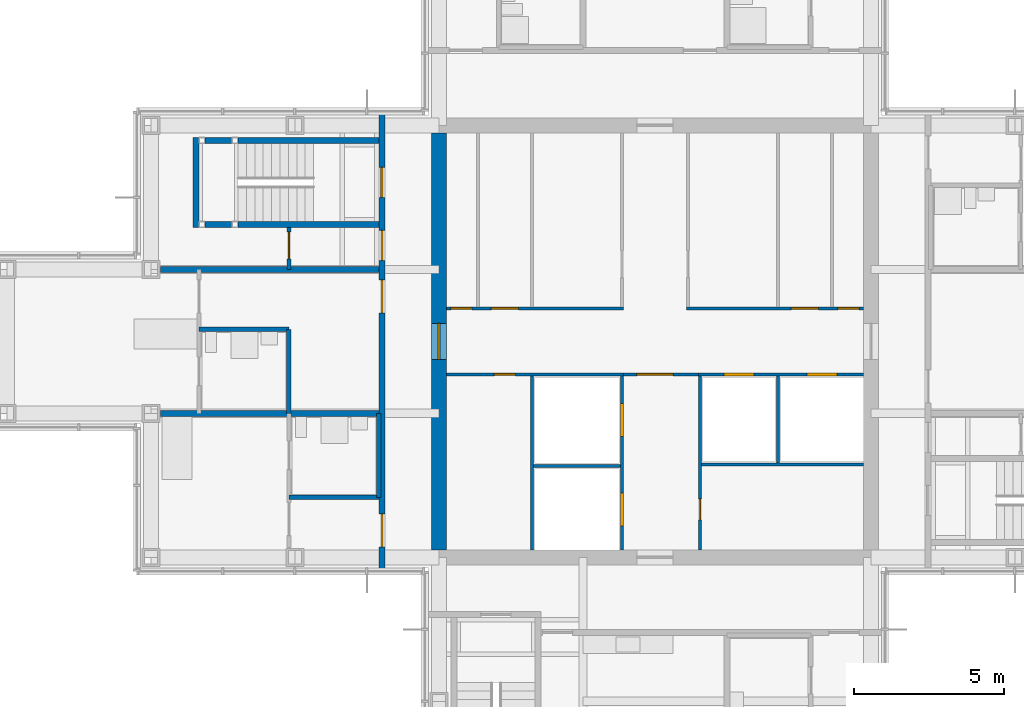
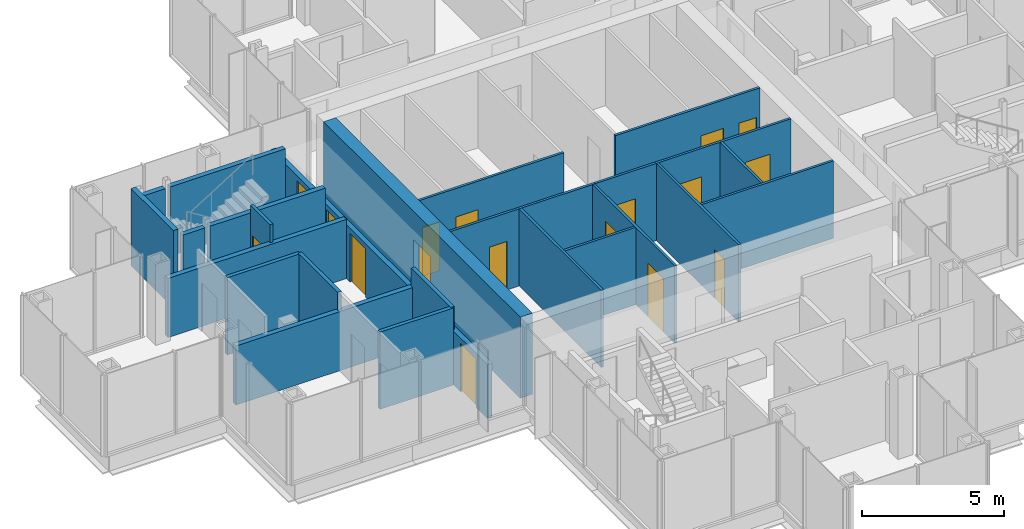
# One storey, part 12 of 17: 25 walls, 17 doors, 17 openings.
"""IFC4 building model written with IfcOpenShell, lengths in metres."""

from ifc_helpers import new_model, si_unit, direction, frame, frame_2d, origin, place, context, subcontext, project, spatial, rectangle, extrude, material, layer, layer_set, type_object, element, fill, save


model = new_model("IFC4")

# Units and contexts
model_context = context("Model", 3, precision=1e-05, world=origin(), true_north=direction((0.0, 1.0)))
body_context = subcontext(model_context, "Body", "Model", "MODEL_VIEW")
ifc_project = project(units=[si_unit("LENGTHUNIT", "METRE"), si_unit("AREAUNIT", "SQUARE_METRE"), si_unit("VOLUMEUNIT", "CUBIC_METRE"), si_unit("PLANEANGLEUNIT", "RADIAN"), si_unit("MASSUNIT", "GRAM", prefix="KILO")], contexts=[model_context])

# Site, building, storey
site_placement = place(None, origin())
site = spatial("IfcSite", under=ifc_project, at=site_placement, CompositionType="ELEMENT")
building_placement = place(site_placement, origin())
building = spatial("IfcBuilding", under=site, at=building_placement, Name="Kvirike Care Tower", CompositionType="ELEMENT")
storey_placement = place(building_placement, frame((0.0, 0.0, 148.0)))
storey = spatial("IfcBuildingStorey", under=building, at=storey_placement, Name="L40", CompositionType="ELEMENT", Elevation=148.0)

# Walls
ifc_material_1 = material(Name="Moisture-resistant board partition", Category="gypsum")
ifc_layer_1 = layer(ifc_material_1, 0.14990234375)
ifc_layer_set_1 = layer_set([ifc_layer_1], Name="BATHROOM WALL 150")
wall_type_1 = type_object("IfcWallType", Name="BATHROOM WALL 150", PredefinedType="PARTITIONING", material=ifc_layer_set_1)
wall_1_placement = place(storey_placement, frame((6.39990234375, 36.39990234375, 0.0), z_axis=(0.0, 0.0, 1.0), x_axis=(1.0, 0.0, 0.0)))
element("IfcWall", 1, at=wall_1_placement, inside=storey, type_object=wall_type_1, Name="Bathroom Wall 150 L40", PredefinedType="PARTITIONING", context=body_context, shape_type="SweptSolid", body=[
    extrude(rectangle(XDim=3.0, YDim=0.14990234375, at=frame_2d((1.5, 0.0))), origin(), (0.0, 0.0, 1.0), 3.330078125),
])
wall_2_placement = place(storey_placement, frame((9.39990234375, 36.39990234375, 0.0), z_axis=(0.0, 0.0, 1.0), x_axis=(0.0, -1.0, 0.0)))
element("IfcWall", 2, at=wall_2_placement, inside=storey, type_object=wall_type_1, Name="Bathroom Wall 150 L40", PredefinedType="PARTITIONING", context=body_context, shape_type="SweptSolid", body=[
    extrude(rectangle(XDim=2.7998046875, YDim=0.14990234375, at=frame_2d((1.39990234375, 0.0))), origin(), (0.0, 0.0, 1.0), 3.330078125),
])
wall_3_placement = place(storey_placement, frame((9.39990234375, 30.800048828125, 0.0), z_axis=(0.0, 0.0, 1.0), x_axis=(1.0, 0.0, 0.0)))
element("IfcWall", 3, at=wall_3_placement, inside=storey, type_object=wall_type_1, Name="Bathroom Wall 150 L40", PredefinedType="PARTITIONING", context=body_context, shape_type="SweptSolid", body=[
    extrude(rectangle(XDim=3.0, YDim=0.14990234375, at=frame_2d((1.5, 0.0))), origin(), (0.0, 0.0, 1.0), 3.330078125),
])
wall_4_placement = place(storey_placement, frame((12.39990234375, 33.60009765625, 0.0), z_axis=(0.0, 0.0, 1.0), x_axis=(0.0, -1.0, 0.0)))
element("IfcWall", 4, at=wall_4_placement, inside=storey, type_object=wall_type_1, Name="Bathroom Wall 150 L40", PredefinedType="PARTITIONING", context=body_context, shape_type="SweptSolid", body=[
    extrude(rectangle(XDim=2.800048828125, YDim=0.14990234375, at=frame_2d((1.39990234375, 0.0))), origin(), (0.0, 0.0, 1.0), 3.330078125),
])

# Wall, opening, door
ifc_material_2 = material(Name="Concrete C45/55", Category="concrete")
ifc_layer_2 = layer(ifc_material_2, 0.5)
ifc_layer_set_2 = layer_set([ifc_layer_2], Name="CORE WALL 500 C45-55")
wall_type_2 = type_object("IfcWallType", Name="CORE WALL 500 C45-55", PredefinedType="SHEAR", material=ifc_layer_set_2)
wall_5_placement = place(storey_placement, frame((14.39990234375, 42.949951171875, -0.169921875), z_axis=(0.0, 0.0, 1.0), x_axis=(0.0, -1.0, 0.0)))
wall_5 = element("IfcWall", 5, at=wall_5_placement, inside=storey, type_object=wall_type_2, Name="Core wall W L40", PredefinedType="SHEAR", context=body_context, shape_type="SweptSolid", body=[
    extrude(rectangle(XDim=13.89990234375, YDim=0.5, at=frame_2d((6.949951171875, 0.0))), origin(), (0.0, 0.0, 1.0), 3.5),
])
opening_1_placement = place(wall_5_placement, frame((6.35009765625, 0.0, 0.169921875)))
opening_1 = element("IfcOpeningElement", 6, at=opening_1_placement, cuts=wall_5, Name="Opening 40-049", PredefinedType="OPENING", context=body_context, shape_type="SweptSolid", body=[
    extrude(rectangle(XDim=1.199951171875, YDim=2.10009765625, at=frame_2d((0.60009765625, 1.050048828125))), frame((0.0, 0.260498046875, 0.0), z_axis=(0.0, -1.0, 0.0), x_axis=(1.0, 0.0, 0.0)), (0.0, 0.0, 1.0), 0.52099609375),
])
ifc_material_3 = material(Name="Timber door set", Category="wood")
door_type_1 = type_object("IfcDoorType", Name="CORE DOOR 1200", OperationType="SINGLE_SWING_LEFT", PredefinedType="DOOR", material=ifc_material_3)
door_1_placement = place(opening_1_placement, origin())
door_1 = element("IfcDoor", 7, at=door_1_placement, inside=storey, type_object=door_type_1, Name="Core door W L40", OperationType="SINGLE_SWING_LEFT", OverallHeight=2.10009765625, OverallWidth=1.199951171875, PredefinedType="DOOR", context=body_context, shape_type="SweptSolid", body=[
    extrude(rectangle(XDim=1.199951171875, YDim=2.10009765625, at=frame_2d((0.60009765625, 1.050048828125))), frame((0.0, 0.02685546875, 0.0), z_axis=(0.0, -1.0, 0.0), x_axis=(1.0, 0.0, 0.0)), (0.0, 0.0, 1.0), 0.053955078125),
])
fill(opening_1, door_1)

# Wall, openings, doors
ifc_material_4 = material(Name="Plasterboard corridor wall", Category="gypsum")
ifc_layer_3 = layer(ifc_material_4, 0.199951171875)
ifc_layer_set_3 = layer_set([ifc_layer_3], Name="CORRIDOR WALL 200")
wall_type_3 = type_object("IfcWallType", Name="CORRIDOR WALL 200", PredefinedType="PARTITIONING", material=ifc_layer_set_3)
wall_6_placement = place(storey_placement, frame((12.5, 43.64990234375, 0.0), z_axis=(0.0, 0.0, 1.0), x_axis=(0.0, -1.0, 0.0)))
wall_6 = element("IfcWall", 8, at=wall_6_placement, inside=storey, type_object=wall_type_3, Name="Corridor Wall 200 L40", PredefinedType="PARTITIONING", context=body_context, shape_type="SweptSolid", body=[
    extrude(rectangle(XDim=15.2998046875, YDim=0.199951171875, at=frame_2d((7.64990234375, 0.0))), origin(), (0.0, 0.0, 1.0), 2.320068359375),
])
opening_2_placement = place(wall_6_placement, frame((1.85009765625, 0.0, 0.0)))
opening_2 = element("IfcOpeningElement", 9, at=opening_2_placement, cuts=wall_6, Name="Opening 40-006", PredefinedType="OPENING", context=body_context, shape_type="SweptSolid", body=[
    extrude(rectangle(XDim=1.0, YDim=2.10009765625, at=frame_2d((0.5, 1.050048828125))), frame((0.0, 0.110595703125, 0.0), z_axis=(0.0, -1.0, 0.0), x_axis=(1.0, 0.0, 0.0)), (0.0, 0.0, 1.0), 0.220947265625),
])
opening_3_placement = place(wall_6_placement, frame((3.949951171875, 0.0, 0.0)))
opening_3 = element("IfcOpeningElement", 10, at=opening_3_placement, cuts=wall_6, Name="Opening 40-007", PredefinedType="OPENING", context=body_context, shape_type="SweptSolid", body=[
    extrude(rectangle(XDim=1.0, YDim=2.10009765625, at=frame_2d((0.5, 1.050048828125))), frame((0.0, 0.110595703125, 0.0), z_axis=(0.0, -1.0, 0.0), x_axis=(1.0, 0.0, 0.0)), (0.0, 0.0, 1.0), 0.220947265625),
])
opening_4_placement = place(wall_6_placement, frame((5.60009765625, 0.0, 0.0)))
opening_4 = element("IfcOpeningElement", 11, at=opening_4_placement, cuts=wall_6, Name="Opening 40-008", PredefinedType="OPENING", context=body_context, shape_type="SweptSolid", body=[
    extrude(rectangle(XDim=1.10009765625, YDim=2.10009765625, at=frame_2d((0.550048828125, 1.050048828125))), frame((0.0, 0.110595703125, 0.0), z_axis=(0.0, -1.0, 0.0), x_axis=(1.0, 0.0, 0.0)), (0.0, 0.0, 1.0), 0.220947265625),
])
opening_5_placement = place(wall_6_placement, frame((13.39990234375, 0.0, 0.0)))
opening_5 = element("IfcOpeningElement", 12, at=opening_5_placement, cuts=wall_6, Name="Opening 40-009", PredefinedType="OPENING", context=body_context, shape_type="SweptSolid", body=[
    extrude(rectangle(XDim=1.10009765625, YDim=2.10009765625, at=frame_2d((0.550048828125, 1.050048828125))), frame((0.0, 0.110595703125, 0.0), z_axis=(0.0, -1.0, 0.0), x_axis=(1.0, 0.0, 0.0)), (0.0, 0.0, 1.0), 0.220947265625),
])
ifc_material_5 = material(Name="Timber door set", Category="wood")
door_type_2 = type_object("IfcDoorType", Name="BEDROOM ENTRANCE DOOR 1100", OperationType="SINGLE_SWING_LEFT", PredefinedType="DOOR", material=ifc_material_5)
door_2_placement = place(opening_4_placement, frame((1.10009765625, 0.0, 0.0), z_axis=(0.0, 0.0, 1.0), x_axis=(-1.0, 0.0, 0.0)))
door_2 = element("IfcDoor", 13, at=door_2_placement, inside=storey, type_object=door_type_2, Name="Memory care bedroom entrance", OperationType="SINGLE_SWING_LEFT", OverallHeight=2.10009765625, OverallWidth=1.10009765625, PredefinedType="DOOR", context=body_context, shape_type="SweptSolid", body=[
    extrude(rectangle(XDim=1.10009765625, YDim=2.10009765625, at=frame_2d((0.550048828125, 1.050048828125))), frame((0.0, 0.02685546875, 0.0), z_axis=(0.0, -1.0, 0.0), x_axis=(1.0, 0.0, 0.0)), (0.0, 0.0, 1.0), 0.053955078125),
])
fill(opening_4, door_2)
door_3_placement = place(opening_5_placement, frame((1.10009765625, 0.0, 0.0), z_axis=(0.0, 0.0, 1.0), x_axis=(-1.0, 0.0, 0.0)))
door_3 = element("IfcDoor", 14, at=door_3_placement, inside=storey, type_object=door_type_2, Name="Memory care bedroom entrance", OperationType="SINGLE_SWING_RIGHT", OverallHeight=2.10009765625, OverallWidth=1.10009765625, PredefinedType="DOOR", context=body_context, shape_type="SweptSolid", body=[
    extrude(rectangle(XDim=1.10009765625, YDim=2.10009765625, at=frame_2d((0.550048828125, 1.050048828125))), frame((0.0, 0.02685546875, 0.0), z_axis=(0.0, -1.0, 0.0), x_axis=(1.0, 0.0, 0.0)), (0.0, 0.0, 1.0), 0.053955078125),
])
fill(opening_5, door_3)
ifc_material_6 = material(Name="Timber door set", Category="wood")
door_type_3 = type_object("IfcDoorType", Name="FLAT ENTRANCE DOOR 1000", OperationType="SINGLE_SWING_LEFT", PredefinedType="DOOR", material=ifc_material_6)
door_4_placement = place(opening_3_placement, frame((1.0, 0.0, 0.0), z_axis=(0.0, 0.0, 1.0), x_axis=(-1.0, 0.0, 0.0)))
door_4 = element("IfcDoor", 15, at=door_4_placement, inside=storey, type_object=door_type_3, Name="Activity room entrance", OperationType="SINGLE_SWING_LEFT", OverallHeight=2.10009765625, OverallWidth=1.0, PredefinedType="DOOR", context=body_context, shape_type="SweptSolid", body=[
    extrude(rectangle(XDim=1.0, YDim=2.10009765625, at=frame_2d((0.5, 1.050048828125))), frame((0.0, 0.02685546875, 0.0), z_axis=(0.0, -1.0, 0.0), x_axis=(1.0, 0.0, 0.0)), (0.0, 0.0, 1.0), 0.053955078125),
])
fill(opening_3, door_4)
ifc_material_7 = material(Name="Timber door set", Category="wood")
door_type_4 = type_object("IfcDoorType", Name="STAIR DOOR 1000", OperationType="SINGLE_SWING_LEFT", PredefinedType="DOOR", material=ifc_material_7)
door_5_placement = place(opening_2_placement, frame((1.0, 0.0, 0.0), z_axis=(0.0, 0.0, 1.0), x_axis=(-1.0, 0.0, 0.0)))
door_5 = element("IfcDoor", 16, at=door_5_placement, inside=storey, type_object=door_type_4, Name="Stair 1 door", OperationType="SINGLE_SWING_RIGHT", OverallHeight=2.10009765625, OverallWidth=1.0, PredefinedType="DOOR", context=body_context, shape_type="SweptSolid", body=[
    extrude(rectangle(XDim=1.0, YDim=2.10009765625, at=frame_2d((0.5, 1.050048828125))), frame((0.0, 0.031982421875, 0.0), z_axis=(0.0, -1.0, 0.0), x_axis=(1.0, 0.0, 0.0)), (0.0, 0.0, 1.0), 0.06396484375),
])
fill(opening_2, door_5)

# Wall, opening, door
ifc_material_8 = material(Name="Plasterboard partition", Category="gypsum")
ifc_layer_4 = layer(ifc_material_8, 0.1201171875)
ifc_layer_set_4 = layer_set([ifc_layer_4], Name="PARTITION 120")
wall_type_4 = type_object("IfcWallType", Name="PARTITION 120", PredefinedType="PARTITIONING", material=ifc_layer_set_4)
wall_7_placement = place(storey_placement, frame((9.39990234375, 39.800048828125, 0.0), z_axis=(0.0, 0.0, 1.0), x_axis=(0.0, -1.0, 0.0)))
wall_7 = element("IfcWall", 17, at=wall_7_placement, inside=storey, type_object=wall_type_4, Name="Partition 120 L40", PredefinedType="PARTITIONING", context=body_context, shape_type="SweptSolid", body=[
    extrude(rectangle(XDim=1.400146484375, YDim=0.1201171875, at=frame_2d((0.7001953125, 0.0))), origin(), (0.0, 0.0, 1.0), 3.330078125),
])
opening_6_placement = place(wall_7_placement, frame((0.14990234375, 0.0, 0.0)))
opening_6 = element("IfcOpeningElement", 18, at=opening_6_placement, cuts=wall_7, Name="Opening 40-001", PredefinedType="OPENING", context=body_context, shape_type="SweptSolid", body=[
    extrude(rectangle(XDim=0.89990234375, YDim=2.10009765625, at=frame_2d((0.449951171875, 1.050048828125))), frame((0.0, 0.070556640625, 0.0), z_axis=(0.0, -1.0, 0.0), x_axis=(1.0, 0.0, 0.0)), (0.0, 0.0, 1.0), 0.14111328125),
])
ifc_material_9 = material(Name="Timber door set", Category="wood")
door_type_5 = type_object("IfcDoorType", Name="INTERNAL DOOR 900", OperationType="SINGLE_SWING_LEFT", PredefinedType="DOOR", material=ifc_material_9)
door_6_placement = place(opening_6_placement, origin())
door_6 = element("IfcDoor", 19, at=door_6_placement, inside=storey, type_object=door_type_5, Name="Activity room door", OperationType="SINGLE_SWING_RIGHT", OverallHeight=2.10009765625, OverallWidth=0.89990234375, PredefinedType="DOOR", context=body_context, shape_type="SweptSolid", body=[
    extrude(rectangle(XDim=0.89990234375, YDim=2.10009765625, at=frame_2d((0.449951171875, 1.050048828125))), frame((0.0, 0.02197265625, 0.0), z_axis=(0.0, -1.0, 0.0), x_axis=(1.0, 0.0, 0.0)), (0.0, 0.0, 1.0), 0.0439453125),
])
fill(opening_6, door_6)

# Walls
ifc_material_10 = material(Name="Plasterboard party wall", Category="gypsum")
ifc_layer_5 = layer(ifc_material_10, 0.199951171875)
ifc_layer_set_5 = layer_set([ifc_layer_5], Name="PARTY WALL 200")
wall_type_5 = type_object("IfcWallType", Name="PARTY WALL 200", PredefinedType="PARTITIONING", material=ifc_layer_set_5)
for number, where, z_axis, x_axis, name in (
    (20, (5.1201171875, 38.39990234375, 0.0), (0.0, 0.0, 1.0), (1.0, 0.0, 0.0), "Party Wall 200 L40"),
    (21, (5.1201171875, 33.60009765625, 0.0), (0.0, 0.0, 1.0), (1.0, 0.0, 0.0), "Party Wall 200 L40"),
):
    element("IfcWall", number, at=place(storey_placement, frame(where, z_axis=z_axis, x_axis=x_axis)), inside=storey, type_object=wall_type_5, Name=name, PredefinedType="PARTITIONING", context=body_context, shape_type="SweptSolid", body=[
        extrude(rectangle(XDim=7.27978515625, YDim=0.199951171875, at=frame_2d((3.639892578125, 0.0))), origin(), (0.0, 0.0, 1.0), 2.550048828125),
    ])

# Wall, openings, doors
ifc_material_11 = material(Name="Gypsum shaft wall system", Category="gypsum")
ifc_layer_6 = layer(ifc_material_11, 0.10009765625)
ifc_layer_set_6 = layer_set([ifc_layer_6], Name="SHAFT WALL 100")
wall_type_6 = type_object("IfcWallType", Name="SHAFT WALL 100", PredefinedType="SOLIDWALL", material=ifc_layer_set_6)
wall_8_placement = place(storey_placement, frame((20.5, 29.050048828125, 0.0), z_axis=(0.0, 0.0, 1.0), x_axis=(0.0, 1.0, 0.0)))
wall_8 = element("IfcWall", 22, at=wall_8_placement, inside=storey, type_object=wall_type_6, Name="Shaft Wall 100 L40", PredefinedType="SOLIDWALL", context=body_context, shape_type="SweptSolid", body=[
    extrude(rectangle(XDim=5.800048828125, YDim=0.10009765625, at=frame_2d((2.89990234375, 0.0))), origin(), (0.0, 0.0, 1.0), 3.330078125),
])
opening_7_placement = place(wall_8_placement, frame((0.800048828125, 0.0, 0.0)))
opening_7 = element("IfcOpeningElement", 23, at=opening_7_placement, cuts=wall_8, Name="Opening 40-035", PredefinedType="OPENING", context=body_context, shape_type="SweptSolid", body=[
    extrude(rectangle(XDim=1.10009765625, YDim=2.300048828125, at=frame_2d((0.550048828125, 1.14990234375))), frame((0.0, 0.060546875, 0.0), z_axis=(0.0, -1.0, 0.0), x_axis=(1.0, 0.0, 0.0)), (0.0, 0.0, 1.0), 0.12109375),
])
opening_8_placement = place(wall_8_placement, frame((3.77490234375, 0.0, 0.0)))
opening_8 = element("IfcOpeningElement", 24, at=opening_8_placement, cuts=wall_8, Name="Opening 40-036", PredefinedType="OPENING", context=body_context, shape_type="SweptSolid", body=[
    extrude(rectangle(XDim=1.10009765625, YDim=2.300048828125, at=frame_2d((0.550048828125, 1.14990234375))), frame((0.0, 0.060546875, 0.0), z_axis=(0.0, -1.0, 0.0), x_axis=(1.0, 0.0, 0.0)), (0.0, 0.0, 1.0), 0.12109375),
])
ifc_material_12 = material(Name="Aluminium door frame", Category="aluminium")
door_type_6 = type_object("IfcDoorType", Name="FIRE-FIGHTING LIFT LANDING DOOR 1100", OperationType="SLIDING_TO_LEFT", PredefinedType="DOOR", material=ifc_material_12)
door_7_placement = place(opening_7_placement, origin())
door_7 = element("IfcDoor", 25, at=door_7_placement, inside=storey, type_object=door_type_6, Name="Lift FF1 landing door", OperationType="SLIDING_TO_LEFT", OverallHeight=2.300048828125, OverallWidth=1.10009765625, PredefinedType="DOOR", context=body_context, shape_type="SweptSolid", body=[
    extrude(rectangle(XDim=1.10009765625, YDim=2.300048828125, at=frame_2d((0.550048828125, 1.14990234375))), frame((0.0, 0.0498046875, 0.0), z_axis=(0.0, -1.0, 0.0), x_axis=(1.0, 0.0, 0.0)), (0.0, 0.0, 1.0), 0.099609375),
])
fill(opening_7, door_7)
door_8_placement = place(opening_8_placement, origin())
door_8 = element("IfcDoor", 26, at=door_8_placement, inside=storey, type_object=door_type_6, Name="Lift FF2 landing door", OperationType="SLIDING_TO_LEFT", OverallHeight=2.300048828125, OverallWidth=1.10009765625, PredefinedType="DOOR", context=body_context, shape_type="SweptSolid", body=[
    extrude(rectangle(XDim=1.10009765625, YDim=2.300048828125, at=frame_2d((0.550048828125, 1.14990234375))), frame((0.0, 0.0498046875, 0.0), z_axis=(0.0, -1.0, 0.0), x_axis=(1.0, 0.0, 0.0)), (0.0, 0.0, 1.0), 0.099609375),
])
fill(opening_8, door_8)

# Wall, opening, door
wall_9_placement = place(storey_placement, frame((23.10009765625, 29.050048828125, 0.0), z_axis=(0.0, 0.0, 1.0), x_axis=(0.0, 1.0, 0.0)))
wall_9 = element("IfcWall", 27, at=wall_9_placement, inside=storey, type_object=wall_type_6, Name="Shaft Wall 100 L40", PredefinedType="SOLIDWALL", context=body_context, shape_type="SweptSolid", body=[
    extrude(rectangle(XDim=5.800048828125, YDim=0.10009765625, at=frame_2d((2.89990234375, 0.0))), origin(), (0.0, 0.0, 1.0), 3.330078125),
])
opening_9_placement = place(wall_9_placement, frame((1.0, 0.0, 0.0)))
opening_9 = element("IfcOpeningElement", 28, at=opening_9_placement, cuts=wall_9, Name="Opening 40-039", PredefinedType="OPENING", context=body_context, shape_type="SweptSolid", body=[
    extrude(rectangle(XDim=0.699951171875, YDim=2.10009765625, at=frame_2d((0.35009765625, 1.050048828125))), frame((0.0, 0.060546875, 0.0), z_axis=(0.0, -1.0, 0.0), x_axis=(1.0, 0.0, 0.0)), (0.0, 0.0, 1.0), 0.12109375),
])
ifc_material_13 = material(Name="Timber door set", Category="wood")
door_type_7 = type_object("IfcDoorType", Name="RISER DOOR 700", OperationType="SINGLE_SWING_LEFT", PredefinedType="DOOR", material=ifc_material_13)
door_9_placement = place(opening_9_placement, origin())
door_9 = element("IfcDoor", 29, at=door_9_placement, inside=storey, type_object=door_type_7, Name="Riser door", OperationType="SINGLE_SWING_RIGHT", OverallHeight=2.10009765625, OverallWidth=0.699951171875, PredefinedType="DOOR", context=body_context, shape_type="SweptSolid", body=[
    extrude(rectangle(XDim=0.699951171875, YDim=2.10009765625, at=frame_2d((0.35009765625, 1.050048828125))), frame((0.0, 0.02685546875, 0.0), z_axis=(0.0, -1.0, 0.0), x_axis=(1.0, 0.0, 0.0)), (0.0, 0.0, 1.0), 0.053955078125),
])
fill(opening_9, door_9)

wall_10_placement = place(storey_placement, frame((14.64990234375, 34.89990234375, 0.0), z_axis=(0.0, 0.0, 1.0), x_axis=(1.0, 0.0, 0.0)))
wall_10 = element("IfcWall", 30, at=wall_10_placement, inside=storey, type_object=wall_type_6, Name="Shaft Wall 100 L40", PredefinedType="SOLIDWALL", context=body_context, shape_type="SweptSolid", body=[
    extrude(rectangle(XDim=5.900146484375, YDim=0.10009765625, at=frame_2d((2.9501953125, 0.0))), origin(), (0.0, 0.0, 1.0), 3.330078125),
])
opening_10_placement = place(wall_10_placement, frame((1.60009765625, 0.0, 0.0)))
opening_10 = element("IfcOpeningElement", 31, at=opening_10_placement, cuts=wall_10, Name="Opening 40-040", PredefinedType="OPENING", context=body_context, shape_type="SweptSolid", body=[
    extrude(rectangle(XDim=0.699951171875, YDim=2.10009765625, at=frame_2d((0.35009765625, 1.050048828125))), frame((0.0, 0.060546875, 0.0), z_axis=(0.0, -1.0, 0.0), x_axis=(1.0, 0.0, 0.0)), (0.0, 0.0, 1.0), 0.12109375),
])
door_10_placement = place(opening_10_placement, frame((0.699951171875, 0.0, 0.0), z_axis=(0.0, 0.0, 1.0), x_axis=(-1.0, 0.0, 0.0)))
door_10 = element("IfcDoor", 32, at=door_10_placement, inside=storey, type_object=door_type_7, Name="Riser door", OperationType="SINGLE_SWING_RIGHT", OverallHeight=2.10009765625, OverallWidth=0.699951171875, PredefinedType="DOOR", context=body_context, shape_type="SweptSolid", body=[
    extrude(rectangle(XDim=0.699951171875, YDim=2.10009765625, at=frame_2d((0.35009765625, 1.050048828125))), frame((0.0, 0.02685546875, 0.0), z_axis=(0.0, -1.0, 0.0), x_axis=(1.0, 0.0, 0.0)), (0.0, 0.0, 1.0), 0.053955078125),
])
fill(opening_10, door_10)

# Wall, openings, doors
wall_11_placement = place(storey_placement, frame((23.050048828125, 34.89990234375, 0.0), z_axis=(0.0, 0.0, 1.0), x_axis=(1.0, 0.0, 0.0)))
wall_11 = element("IfcWall", 33, at=wall_11_placement, inside=storey, type_object=wall_type_6, Name="Shaft Wall 100 L40", PredefinedType="SOLIDWALL", context=body_context, shape_type="SweptSolid", body=[
    extrude(rectangle(XDim=5.5, YDim=0.10009765625, at=frame_2d((2.75, 0.0))), origin(), (0.0, 0.0, 1.0), 3.330078125),
])
opening_11_placement = place(wall_11_placement, frame((0.85009765625, 0.0, 0.0)))
opening_11 = element("IfcOpeningElement", 34, at=opening_11_placement, cuts=wall_11, Name="Opening 40-041", PredefinedType="OPENING", context=body_context, shape_type="SweptSolid", body=[
    extrude(rectangle(XDim=1.0, YDim=2.10009765625, at=frame_2d((0.5, 1.050048828125))), frame((0.0, 0.060546875, 0.0), z_axis=(0.0, -1.0, 0.0), x_axis=(1.0, 0.0, 0.0)), (0.0, 0.0, 1.0), 0.12109375),
])
opening_12_placement = place(wall_11_placement, frame((3.625, 0.0, 0.0)))
opening_12 = element("IfcOpeningElement", 35, at=opening_12_placement, cuts=wall_11, Name="Opening 40-042", PredefinedType="OPENING", context=body_context, shape_type="SweptSolid", body=[
    extrude(rectangle(XDim=1.0, YDim=2.10009765625, at=frame_2d((0.5, 1.050048828125))), frame((0.0, 0.060546875, 0.0), z_axis=(0.0, -1.0, 0.0), x_axis=(1.0, 0.0, 0.0)), (0.0, 0.0, 1.0), 0.12109375),
])
ifc_material_14 = material(Name="Aluminium door frame", Category="aluminium")
door_type_8 = type_object("IfcDoorType", Name="LIFT LANDING DOOR 1000", OperationType="SLIDING_TO_LEFT", PredefinedType="DOOR", material=ifc_material_14)
door_11_placement = place(opening_11_placement, origin())
door_11 = element("IfcDoor", 36, at=door_11_placement, inside=storey, type_object=door_type_8, Name="Lift P5 landing door", OperationType="SLIDING_TO_LEFT", OverallHeight=2.10009765625, OverallWidth=1.0, PredefinedType="DOOR", context=body_context, shape_type="SweptSolid", body=[
    extrude(rectangle(XDim=1.0, YDim=2.10009765625, at=frame_2d((0.5, 1.050048828125))), frame((0.0, 0.0498046875, 0.0), z_axis=(0.0, -1.0, 0.0), x_axis=(1.0, 0.0, 0.0)), (0.0, 0.0, 1.0), 0.099609375),
])
fill(opening_11, door_11)
door_12_placement = place(opening_12_placement, origin())
door_12 = element("IfcDoor", 37, at=door_12_placement, inside=storey, type_object=door_type_8, Name="Lift P6 landing door", OperationType="SLIDING_TO_LEFT", OverallHeight=2.10009765625, OverallWidth=1.0, PredefinedType="DOOR", context=body_context, shape_type="SweptSolid", body=[
    extrude(rectangle(XDim=1.0, YDim=2.10009765625, at=frame_2d((0.5, 1.050048828125))), frame((0.0, 0.0498046875, 0.0), z_axis=(0.0, -1.0, 0.0), x_axis=(1.0, 0.0, 0.0)), (0.0, 0.0, 1.0), 0.099609375),
])
fill(opening_12, door_12)

wall_12_placement = place(storey_placement, frame((14.64990234375, 37.10009765625, 0.0), z_axis=(0.0, 0.0, 1.0), x_axis=(1.0, 0.0, 0.0)))
wall_12 = element("IfcWall", 38, at=wall_12_placement, inside=storey, type_object=wall_type_6, Name="Shaft Wall 100 L40", PredefinedType="SOLIDWALL", context=body_context, shape_type="SweptSolid", body=[
    extrude(rectangle(XDim=5.900146484375, YDim=0.10009765625, at=frame_2d((2.9501953125, 0.0))), origin(), (0.0, 0.0, 1.0), 3.330078125),
])
opening_13_placement = place(wall_12_placement, frame((0.14990234375, 0.0, 0.0)))
opening_13 = element("IfcOpeningElement", 39, at=opening_13_placement, cuts=wall_12, Name="Opening 40-043", PredefinedType="OPENING", context=body_context, shape_type="SweptSolid", body=[
    extrude(rectangle(XDim=0.699951171875, YDim=2.10009765625, at=frame_2d((0.35009765625, 1.050048828125))), frame((0.0, 0.060546875, 0.0), z_axis=(0.0, -1.0, 0.0), x_axis=(1.0, 0.0, 0.0)), (0.0, 0.0, 1.0), 0.12109375),
])
opening_14_placement = place(wall_12_placement, frame((1.5, 0.0, 0.0)))
opening_14 = element("IfcOpeningElement", 40, at=opening_14_placement, cuts=wall_12, Name="Opening 40-044", PredefinedType="OPENING", context=body_context, shape_type="SweptSolid", body=[
    extrude(rectangle(XDim=0.89990234375, YDim=2.10009765625, at=frame_2d((0.449951171875, 1.050048828125))), frame((0.0, 0.060546875, 0.0), z_axis=(0.0, -1.0, 0.0), x_axis=(1.0, 0.0, 0.0)), (0.0, 0.0, 1.0), 0.12109375),
])
door_13_placement = place(opening_13_placement, origin())
door_13 = element("IfcDoor", 41, at=door_13_placement, inside=storey, type_object=door_type_7, Name="Riser door", OperationType="SINGLE_SWING_LEFT", OverallHeight=2.10009765625, OverallWidth=0.699951171875, PredefinedType="DOOR", context=body_context, shape_type="SweptSolid", body=[
    extrude(rectangle(XDim=0.699951171875, YDim=2.10009765625, at=frame_2d((0.35009765625, 1.050048828125))), frame((0.0, 0.02685546875, 0.0), z_axis=(0.0, -1.0, 0.0), x_axis=(1.0, 0.0, 0.0)), (0.0, 0.0, 1.0), 0.053955078125),
])
fill(opening_13, door_13)
ifc_material_15 = material(Name="Timber door set", Category="wood")
door_type_9 = type_object("IfcDoorType", Name="STORE DOOR 900", OperationType="SINGLE_SWING_LEFT", PredefinedType="DOOR", material=ifc_material_15)
door_14_placement = place(opening_14_placement, origin())
door_14 = element("IfcDoor", 42, at=door_14_placement, inside=storey, type_object=door_type_9, Name="Linen store door", OperationType="SINGLE_SWING_LEFT", OverallHeight=2.10009765625, OverallWidth=0.89990234375, PredefinedType="DOOR", context=body_context, shape_type="SweptSolid", body=[
    extrude(rectangle(XDim=0.89990234375, YDim=2.10009765625, at=frame_2d((0.449951171875, 1.050048828125))), frame((0.0, 0.02685546875, 0.0), z_axis=(0.0, -1.0, 0.0), x_axis=(1.0, 0.0, 0.0)), (0.0, 0.0, 1.0), 0.053955078125),
])
fill(opening_14, door_14)

wall_13_placement = place(storey_placement, frame((22.64990234375, 37.10009765625, 0.0), z_axis=(0.0, 0.0, 1.0), x_axis=(1.0, 0.0, 0.0)))
wall_13 = element("IfcWall", 43, at=wall_13_placement, inside=storey, type_object=wall_type_6, Name="Shaft Wall 100 L40", PredefinedType="SOLIDWALL", context=body_context, shape_type="SweptSolid", body=[
    extrude(rectangle(XDim=5.900146484375, YDim=0.10009765625, at=frame_2d((2.9501953125, 0.0))), origin(), (0.0, 0.0, 1.0), 3.330078125),
])
opening_15_placement = place(wall_13_placement, frame((3.5, 0.0, 0.0)))
opening_15 = element("IfcOpeningElement", 44, at=opening_15_placement, cuts=wall_13, Name="Opening 40-045", PredefinedType="OPENING", context=body_context, shape_type="SweptSolid", body=[
    extrude(rectangle(XDim=0.89990234375, YDim=2.10009765625, at=frame_2d((0.449951171875, 1.050048828125))), frame((0.0, 0.060546875, 0.0), z_axis=(0.0, -1.0, 0.0), x_axis=(1.0, 0.0, 0.0)), (0.0, 0.0, 1.0), 0.12109375),
])
opening_16_placement = place(wall_13_placement, frame((5.050048828125, 0.0, 0.0)))
opening_16 = element("IfcOpeningElement", 45, at=opening_16_placement, cuts=wall_13, Name="Opening 40-046", PredefinedType="OPENING", context=body_context, shape_type="SweptSolid", body=[
    extrude(rectangle(XDim=0.699951171875, YDim=2.10009765625, at=frame_2d((0.35009765625, 1.050048828125))), frame((0.0, 0.060546875, 0.0), z_axis=(0.0, -1.0, 0.0), x_axis=(1.0, 0.0, 0.0)), (0.0, 0.0, 1.0), 0.12109375),
])
door_15_placement = place(opening_16_placement, origin())
door_15 = element("IfcDoor", 46, at=door_15_placement, inside=storey, type_object=door_type_7, Name="Riser door", OperationType="SINGLE_SWING_RIGHT", OverallHeight=2.10009765625, OverallWidth=0.699951171875, PredefinedType="DOOR", context=body_context, shape_type="SweptSolid", body=[
    extrude(rectangle(XDim=0.699951171875, YDim=2.10009765625, at=frame_2d((0.35009765625, 1.050048828125))), frame((0.0, 0.02685546875, 0.0), z_axis=(0.0, -1.0, 0.0), x_axis=(1.0, 0.0, 0.0)), (0.0, 0.0, 1.0), 0.053955078125),
])
fill(opening_16, door_15)
door_16_placement = place(opening_15_placement, origin())
door_16 = element("IfcDoor", 47, at=door_16_placement, inside=storey, type_object=door_type_9, Name="IT room door", OperationType="SINGLE_SWING_LEFT", OverallHeight=2.10009765625, OverallWidth=0.89990234375, PredefinedType="DOOR", context=body_context, shape_type="SweptSolid", body=[
    extrude(rectangle(XDim=0.89990234375, YDim=2.10009765625, at=frame_2d((0.449951171875, 1.050048828125))), frame((0.0, 0.02685546875, 0.0), z_axis=(0.0, -1.0, 0.0), x_axis=(1.0, 0.0, 0.0)), (0.0, 0.0, 1.0), 0.053955078125),
])
fill(opening_15, door_16)

# Wall, opening, door
wall_14_placement = place(storey_placement, frame((20.550048828125, 34.89990234375, 0.0), z_axis=(0.0, 0.0, 1.0), x_axis=(1.0, 0.0, 0.0)))
wall_14 = element("IfcWall", 48, at=wall_14_placement, inside=storey, type_object=wall_type_6, Name="Shaft Wall 100 L40", PredefinedType="SOLIDWALL", context=body_context, shape_type="SweptSolid", body=[
    extrude(rectangle(XDim=2.5, YDim=0.10009765625, at=frame_2d((1.25, 0.0))), origin(), (0.0, 0.0, 1.0), 3.330078125),
])
opening_17_placement = place(wall_14_placement, frame((0.449951171875, 0.0, 0.0)))
opening_17 = element("IfcOpeningElement", 49, at=opening_17_placement, cuts=wall_14, Name="Opening 40-047", PredefinedType="OPENING", context=body_context, shape_type="SweptSolid", body=[
    extrude(rectangle(XDim=1.199951171875, YDim=2.10009765625, at=frame_2d((0.60009765625, 1.050048828125))), frame((0.0, 0.060546875, 0.0), z_axis=(0.0, -1.0, 0.0), x_axis=(1.0, 0.0, 0.0)), (0.0, 0.0, 1.0), 0.12109375),
])
door_17_placement = place(opening_17_placement, frame((1.199951171875, 0.0, 0.0), z_axis=(0.0, 0.0, 1.0), x_axis=(-1.0, 0.0, 0.0)))
door_17 = element("IfcDoor", 50, at=door_17_placement, inside=storey, type_object=door_type_1, Name="Fire-fighting lobby door", OperationType="SINGLE_SWING_LEFT", OverallHeight=2.10009765625, OverallWidth=1.199951171875, PredefinedType="DOOR", context=body_context, shape_type="SweptSolid", body=[
    extrude(rectangle(XDim=1.199951171875, YDim=2.10009765625, at=frame_2d((0.60009765625, 1.050048828125))), frame((0.0, 0.02685546875, 0.0), z_axis=(0.0, -1.0, 0.0), x_axis=(1.0, 0.0, 0.0)), (0.0, 0.0, 1.0), 0.053955078125),
])
fill(opening_17, door_17)

# Walls
wall_15_placement = place(storey_placement, frame((17.5, 29.050048828125, 0.0), z_axis=(0.0, 0.0, 1.0), x_axis=(0.0, 1.0, 0.0)))
element("IfcWall", 51, at=wall_15_placement, inside=storey, type_object=wall_type_6, Name="Shaft Wall 100 L40", PredefinedType="SOLIDWALL", context=body_context, shape_type="SweptSolid", body=[
    extrude(rectangle(XDim=5.800048828125, YDim=0.10009765625, at=frame_2d((2.89990234375, 0.0))), origin(), (0.0, 0.0, 1.0), 3.330078125),
])
wall_16_placement = place(storey_placement, frame((17.550048828125, 31.85009765625, 0.0), z_axis=(0.0, 0.0, 1.0), x_axis=(1.0, 0.0, 0.0)))
element("IfcWall", 52, at=wall_16_placement, inside=storey, type_object=wall_type_6, Name="Shaft Wall 100 L40", PredefinedType="SOLIDWALL", context=body_context, shape_type="SweptSolid", body=[
    extrude(rectangle(XDim=2.89990234375, YDim=0.10009765625, at=frame_2d((1.449951171875, 0.0))), origin(), (0.0, 0.0, 1.0), 3.330078125),
])
wall_17_placement = place(storey_placement, frame((25.699951171875, 31.949951171875, 0.0), z_axis=(0.0, 0.0, 1.0), x_axis=(0.0, 1.0, 0.0)))
element("IfcWall", 53, at=wall_17_placement, inside=storey, type_object=wall_type_6, Name="Shaft Wall 100 L40", PredefinedType="SOLIDWALL", context=body_context, shape_type="SweptSolid", body=[
    extrude(rectangle(XDim=2.900146484375, YDim=0.10009765625, at=frame_2d((1.4501953125, 0.0))), origin(), (0.0, 0.0, 1.0), 3.330078125),
])
wall_18_placement = place(storey_placement, frame((23.14990234375, 31.89990234375, 0.0), z_axis=(0.0, 0.0, 1.0), x_axis=(1.0, 0.0, 0.0)))
element("IfcWall", 54, at=wall_18_placement, inside=storey, type_object=wall_type_6, Name="Shaft Wall 100 L40", PredefinedType="SOLIDWALL", context=body_context, shape_type="SweptSolid", body=[
    extrude(rectangle(XDim=5.400146484375, YDim=0.10009765625, at=frame_2d((2.7001953125, 0.0))), origin(), (0.0, 0.0, 1.0), 3.330078125),
])
ifc_material_16 = material(Name="Concrete C40/50", Category="concrete")
ifc_layer_7 = layer(ifc_material_16, 0.199951171875)
ifc_layer_set_7 = layer_set([ifc_layer_7], Name="STAIR WALL 200")
wall_type_7 = type_object("IfcWallType", Name="STAIR WALL 200", PredefinedType="SOLIDWALL", material=ifc_layer_set_7)
wall_19_placement = place(storey_placement, frame((6.60009765625, 42.699951171875, 0.0), z_axis=(0.0, 0.0, 1.0), x_axis=(1.0, 0.0, 0.0)))
element("IfcWall", 55, at=wall_19_placement, inside=storey, type_object=wall_type_7, Name="Stair Wall 200 L40", PredefinedType="SOLIDWALL", context=body_context, shape_type="SweptSolid", body=[
    extrude(rectangle(XDim=0.89990234375, YDim=0.199951171875, at=frame_2d((0.449951171875, 0.0))), origin(), (0.0, 0.0, 1.0), 2.989990234375),
])
wall_20_placement = place(storey_placement, frame((7.699951171875, 42.699951171875, 0.0), z_axis=(0.0, 0.0, 1.0), x_axis=(1.0, 0.0, 0.0)))
element("IfcWall", 56, at=wall_20_placement, inside=storey, type_object=wall_type_7, Name="Stair Wall 200 L40", PredefinedType="SOLIDWALL", context=body_context, shape_type="SweptSolid", body=[
    extrude(rectangle(XDim=4.699951171875, YDim=0.199951171875, at=frame_2d((2.35009765625, 0.0))), origin(), (0.0, 0.0, 1.0), 2.989990234375),
])
wall_21_placement = place(storey_placement, frame((6.60009765625, 39.89990234375, 0.0), z_axis=(0.0, 0.0, 1.0), x_axis=(1.0, 0.0, 0.0)))
element("IfcWall", 57, at=wall_21_placement, inside=storey, type_object=wall_type_7, Name="Stair Wall 200 L40", PredefinedType="SOLIDWALL", context=body_context, shape_type="SweptSolid", body=[
    extrude(rectangle(XDim=0.89990234375, YDim=0.199951171875, at=frame_2d((0.449951171875, 0.0))), origin(), (0.0, 0.0, 1.0), 2.989990234375),
])
wall_22_placement = place(storey_placement, frame((7.699951171875, 39.89990234375, 0.0), z_axis=(0.0, 0.0, 1.0), x_axis=(1.0, 0.0, 0.0)))
element("IfcWall", 58, at=wall_22_placement, inside=storey, type_object=wall_type_7, Name="Stair Wall 200 L40", PredefinedType="SOLIDWALL", context=body_context, shape_type="SweptSolid", body=[
    extrude(rectangle(XDim=4.699951171875, YDim=0.199951171875, at=frame_2d((2.35009765625, 0.0))), origin(), (0.0, 0.0, 1.0), 2.989990234375),
])
wall_23_placement = place(storey_placement, frame((6.300048828125, 42.800048828125, 0.0), z_axis=(0.0, 0.0, 1.0), x_axis=(0.0, -1.0, 0.0)))
element("IfcWall", 59, at=wall_23_placement, inside=storey, type_object=wall_type_7, Name="Stair Wall 200 L40", PredefinedType="SOLIDWALL", context=body_context, shape_type="SweptSolid", body=[
    extrude(rectangle(XDim=3.0, YDim=0.199951171875, at=frame_2d((1.5, 0.0))), origin(), (0.0, 0.0, 1.0), 3.330078125),
])

save(model, "model.ifc")
